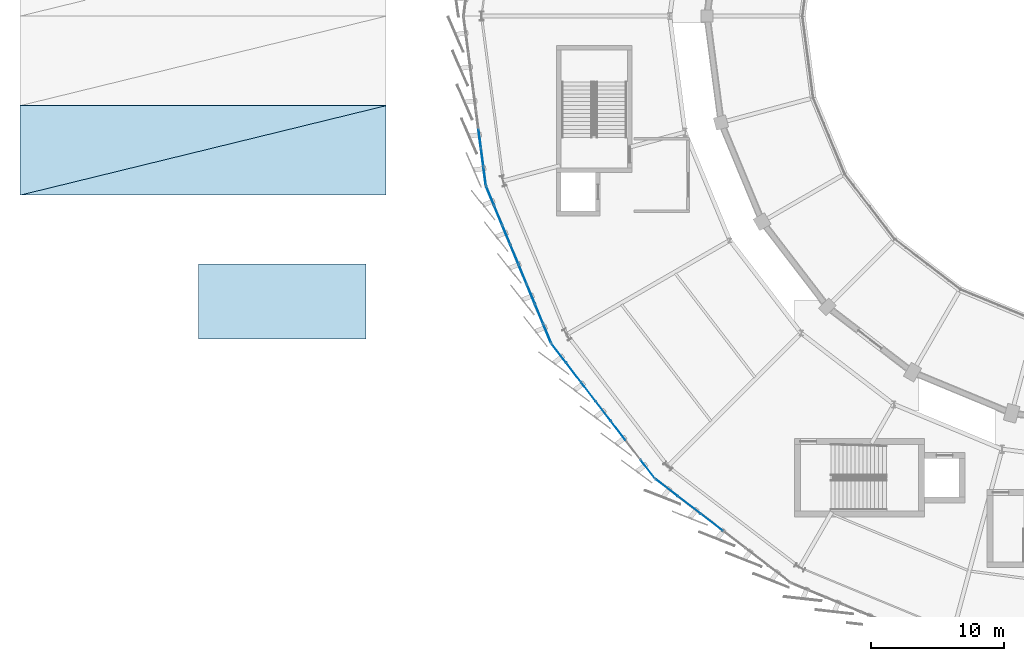
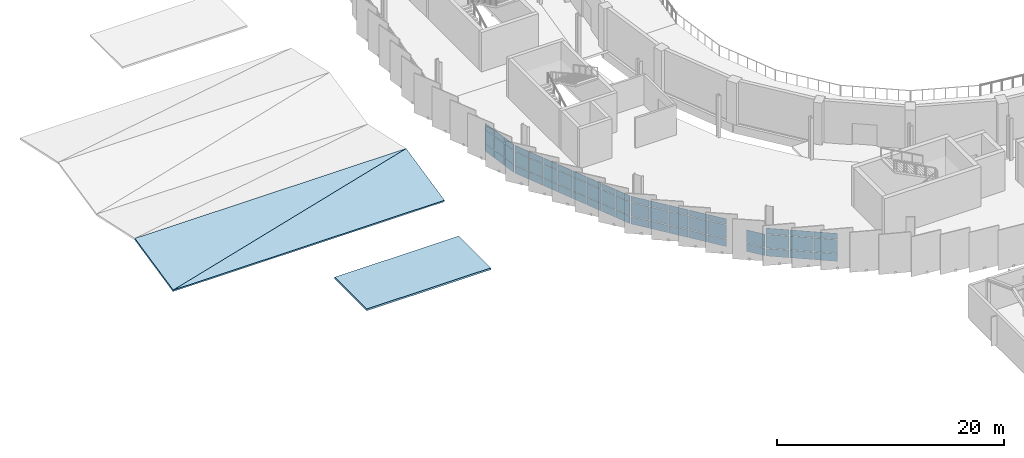
# One storey, part 59 of 87: 59 plates, 3 slabs, 4 elements without a shape of their own.
"""IFC4 building model written with IfcOpenShell, lengths in metres."""

from ifc_helpers import new_model, si_unit, direction, frame, origin, origin_2d, place, context, subcontext, project, spatial, polyline, rectangle, outline, extrude, material, layer, layer_set, type_object, element, aggregate, save


model = new_model("IFC4")

# Units and contexts
model_context = context("Model", 3, precision=1e-05, world=origin(), true_north=direction((0.0, 1.0)))
body_context = subcontext(model_context, "Body", "Model", "MODEL_VIEW")
ifc_project = project(units=[si_unit("LENGTHUNIT", "METRE"), si_unit("AREAUNIT", "SQUARE_METRE"), si_unit("VOLUMEUNIT", "CUBIC_METRE"), si_unit("PLANEANGLEUNIT", "RADIAN"), si_unit("MASSUNIT", "GRAM", prefix="KILO")], contexts=[model_context])

# Site, building, storey
site_placement = place(None, origin())
site = spatial("IfcSite", under=ifc_project, at=site_placement, CompositionType="ELEMENT")
building_placement = place(site_placement, origin())
building = spatial("IfcBuilding", under=site, at=building_placement, Name="Sohan Crest Arena", CompositionType="ELEMENT")
storey_placement = place(building_placement, frame((0.0, 0.0, 18.0)))
storey = spatial("IfcBuildingStorey", under=building, at=storey_placement, Name="L04", CompositionType="ELEMENT", Elevation=18.0)

# Curtain wall, plates
ifc_material_1 = material(Name="Thermally broken anodised aluminium", Category="aluminium")
ifc_layer_1 = layer(ifc_material_1, 0.219970703125, Name="Thermally broken anodised aluminium")
ifc_layer_set_1 = layer_set([ifc_layer_1], Name="Thermally broken anodised aluminium")
curtain_wall_type_1 = type_object("IfcCurtainWallType", Name="ARC-CW03", PredefinedType="NOTDEFINED", material=ifc_layer_set_1)
curtain_wall_1_placement = place(storey_placement, origin())
curtain_wall_1 = element("IfcCurtainWall", 1, at=curtain_wall_1_placement, inside=storey, type_object=curtain_wall_type_1, Name="Unitised curtain wall CW-120", PredefinedType="NOTDEFINED")
ifc_material_2 = material(Name="Low-E double-glazed insulated glass", Category="glass")
ifc_layer_2 = layer(ifc_material_2, 0.028076171875, Name="Low-E double-glazed insulated glass")
ifc_layer_set_2 = layer_set([ifc_layer_2], Name="Low-E double-glazed insulated glass")
plate_type_1 = type_object("IfcPlateType", Name="ARC-CNP01", PredefinedType="CURTAIN_PANEL", material=ifc_layer_set_2)
plate_1_placement = place(storey_placement, frame((55.831298828125, 52.5830078125, 0.070068359375), z_axis=(0.0, 0.0, 1.0), x_axis=(0.60871994181, -0.793385172815, 0.0)))
plate_1 = element("IfcPlate", 2, at=plate_1_placement, type_object=plate_type_1, Name="CW-120 panel 1.1", PredefinedType="CURTAIN_PANEL", context=body_context, shape_type="SweptSolid", body=[
    extrude(rectangle(XDim=1.75048828125, YDim=0.028076171875, at=origin_2d()), origin(), (0.0, 0.0, 1.0), 0.794921875),
])
plate_2_placement = place(storey_placement, frame((55.831298828125, 52.5830078125, 0.93505859375), z_axis=(0.0, 0.0, 1.0), x_axis=(0.60871994181, -0.793385172815, 0.0)))
plate_2 = element("IfcPlate", 3, at=plate_2_placement, type_object=plate_type_1, Name="CW-120 panel 1.2", PredefinedType="CURTAIN_PANEL", context=body_context, shape_type="SweptSolid", body=[
    extrude(rectangle(XDim=1.75048828125, YDim=0.028076171875, at=origin_2d()), origin(), (0.0, 0.0, 1.0), 1.449951171875),
])
plate_3_placement = place(storey_placement, frame((55.831298828125, 52.5830078125, 2.455078125), z_axis=(0.0, 0.0, 1.0), x_axis=(0.60871994181, -0.793385172815, 0.0)))
plate_3 = element("IfcPlate", 4, at=plate_3_placement, type_object=plate_type_1, Name="CW-120 panel 1.3", PredefinedType="CURTAIN_PANEL", context=body_context, shape_type="SweptSolid", body=[
    extrude(rectangle(XDim=1.75048828125, YDim=0.028076171875, at=origin_2d()), origin(), (0.0, 0.0, 1.0), 0.594970703125),
])
plate_4_placement = place(storey_placement, frame((56.9423828125, 51.134765625, 0.070068359375), z_axis=(0.0, 0.0, 1.0), x_axis=(0.60871994181, -0.793385172815, 0.0)))
plate_4 = element("IfcPlate", 5, at=plate_4_placement, type_object=plate_type_1, Name="CW-120 panel 2.1", PredefinedType="CURTAIN_PANEL", context=body_context, shape_type="SweptSolid", body=[
    extrude(rectangle(XDim=1.780517578125, YDim=0.028076171875, at=origin_2d()), origin(), (0.0, 0.0, 1.0), 0.794921875),
])
plate_5_placement = place(storey_placement, frame((56.9423828125, 51.134765625, 0.93505859375), z_axis=(0.0, 0.0, 1.0), x_axis=(0.60871994181, -0.793385172815, 0.0)))
plate_5 = element("IfcPlate", 6, at=plate_5_placement, type_object=plate_type_1, Name="CW-120 panel 2.2", PredefinedType="CURTAIN_PANEL", context=body_context, shape_type="SweptSolid", body=[
    extrude(rectangle(XDim=1.780517578125, YDim=0.028076171875, at=origin_2d()), origin(), (0.0, 0.0, 1.0), 1.449951171875),
])
plate_6_placement = place(storey_placement, frame((56.9423828125, 51.134765625, 2.455078125), z_axis=(0.0, 0.0, 1.0), x_axis=(0.60871994181, -0.793385172815, 0.0)))
plate_6 = element("IfcPlate", 7, at=plate_6_placement, type_object=plate_type_1, Name="CW-120 panel 2.3", PredefinedType="CURTAIN_PANEL", context=body_context, shape_type="SweptSolid", body=[
    extrude(rectangle(XDim=1.780517578125, YDim=0.028076171875, at=origin_2d()), origin(), (0.0, 0.0, 1.0), 0.594970703125),
])
plate_7_placement = place(storey_placement, frame((58.062744140625, 49.674560546875, 0.070068359375), z_axis=(0.0, 0.0, 1.0), x_axis=(0.60871994181, -0.793385172815, 0.0)))
plate_7 = element("IfcPlate", 8, at=plate_7_placement, type_object=plate_type_1, Name="CW-120 panel 3.1", PredefinedType="CURTAIN_PANEL", context=body_context, shape_type="SweptSolid", body=[
    extrude(rectangle(XDim=1.780517578125, YDim=0.028076171875, at=origin_2d()), origin(), (0.0, 0.0, 1.0), 0.794921875),
])
plate_8_placement = place(storey_placement, frame((58.062744140625, 49.674560546875, 0.93505859375), z_axis=(0.0, 0.0, 1.0), x_axis=(0.60871994181, -0.793385172815, 0.0)))
plate_8 = element("IfcPlate", 9, at=plate_8_placement, type_object=plate_type_1, Name="CW-120 panel 3.2", PredefinedType="CURTAIN_PANEL", context=body_context, shape_type="SweptSolid", body=[
    extrude(rectangle(XDim=1.780517578125, YDim=0.028076171875, at=origin_2d()), origin(), (0.0, 0.0, 1.0), 1.449951171875),
])
plate_9_placement = place(storey_placement, frame((58.062744140625, 49.674560546875, 2.455078125), z_axis=(0.0, 0.0, 1.0), x_axis=(0.60871994181, -0.793385172815, 0.0)))
plate_9 = element("IfcPlate", 10, at=plate_9_placement, type_object=plate_type_1, Name="CW-120 panel 3.3", PredefinedType="CURTAIN_PANEL", context=body_context, shape_type="SweptSolid", body=[
    extrude(rectangle(XDim=1.780517578125, YDim=0.028076171875, at=origin_2d()), origin(), (0.0, 0.0, 1.0), 0.594970703125),
])
plate_10_placement = place(storey_placement, frame((59.18310546875, 48.214599609375, 0.070068359375), z_axis=(0.0, 0.0, 1.0), x_axis=(0.60871994181, -0.793385172815, 0.0)))
plate_10 = element("IfcPlate", 11, at=plate_10_placement, type_object=plate_type_1, Name="CW-120 panel 4.1", PredefinedType="CURTAIN_PANEL", context=body_context, shape_type="SweptSolid", body=[
    extrude(rectangle(XDim=1.780517578125, YDim=0.028076171875, at=origin_2d()), origin(), (0.0, 0.0, 1.0), 0.794921875),
])
plate_11_placement = place(storey_placement, frame((59.18310546875, 48.214599609375, 0.93505859375), z_axis=(0.0, 0.0, 1.0), x_axis=(0.60871994181, -0.793385172815, 0.0)))
plate_11 = element("IfcPlate", 12, at=plate_11_placement, type_object=plate_type_1, Name="CW-120 panel 4.2", PredefinedType="CURTAIN_PANEL", context=body_context, shape_type="SweptSolid", body=[
    extrude(rectangle(XDim=1.780517578125, YDim=0.028076171875, at=origin_2d()), origin(), (0.0, 0.0, 1.0), 1.449951171875),
])
plate_12_placement = place(storey_placement, frame((59.18310546875, 48.214599609375, 2.455078125), z_axis=(0.0, 0.0, 1.0), x_axis=(0.60871994181, -0.793385172815, 0.0)))
plate_12 = element("IfcPlate", 13, at=plate_12_placement, type_object=plate_type_1, Name="CW-120 panel 4.3", PredefinedType="CURTAIN_PANEL", context=body_context, shape_type="SweptSolid", body=[
    extrude(rectangle(XDim=1.780517578125, YDim=0.028076171875, at=origin_2d()), origin(), (0.0, 0.0, 1.0), 0.594970703125),
])
plate_13_placement = place(storey_placement, frame((60.30322265625, 46.75439453125, 0.070068359375), z_axis=(0.0, 0.0, 1.0), x_axis=(0.60871994181, -0.793385172815, 0.0)))
plate_13 = element("IfcPlate", 14, at=plate_13_placement, type_object=plate_type_1, Name="CW-120 panel 5.1", PredefinedType="CURTAIN_PANEL", context=body_context, shape_type="SweptSolid", body=[
    extrude(rectangle(XDim=1.780517578125, YDim=0.028076171875, at=origin_2d()), origin(), (0.0, 0.0, 1.0), 0.794921875),
])
plate_14_placement = place(storey_placement, frame((60.30322265625, 46.75439453125, 0.93505859375), z_axis=(0.0, 0.0, 1.0), x_axis=(0.60871994181, -0.793385172815, 0.0)))
plate_14 = element("IfcPlate", 15, at=plate_14_placement, type_object=plate_type_1, Name="CW-120 panel 5.2", PredefinedType="CURTAIN_PANEL", context=body_context, shape_type="SweptSolid", body=[
    extrude(rectangle(XDim=1.780517578125, YDim=0.028076171875, at=origin_2d()), origin(), (0.0, 0.0, 1.0), 1.449951171875),
])
plate_15_placement = place(storey_placement, frame((60.30322265625, 46.75439453125, 2.455078125), z_axis=(0.0, 0.0, 1.0), x_axis=(0.60871994181, -0.793385172815, 0.0)))
plate_15 = element("IfcPlate", 16, at=plate_15_placement, type_object=plate_type_1, Name="CW-120 panel 5.3", PredefinedType="CURTAIN_PANEL", context=body_context, shape_type="SweptSolid", body=[
    extrude(rectangle(XDim=1.780517578125, YDim=0.028076171875, at=origin_2d()), origin(), (0.0, 0.0, 1.0), 0.594970703125),
])
plate_16_placement = place(storey_placement, frame((62.53466796875, 43.845947265625, 0.070068359375), z_axis=(0.0, 0.0, 1.0), x_axis=(0.60871994181, -0.793385172815, 0.0)))
plate_16 = element("IfcPlate", 17, at=plate_16_placement, type_object=plate_type_1, Name="CW-120 panel 7.1", PredefinedType="CURTAIN_PANEL", context=body_context, shape_type="SweptSolid", body=[
    extrude(rectangle(XDim=1.75048828125, YDim=0.028076171875, at=origin_2d()), origin(), (0.0, 0.0, 1.0), 0.794921875),
])
plate_17_placement = place(storey_placement, frame((62.53466796875, 43.845947265625, 0.93505859375), z_axis=(0.0, 0.0, 1.0), x_axis=(0.60871994181, -0.793385172815, 0.0)))
plate_17 = element("IfcPlate", 18, at=plate_17_placement, type_object=plate_type_1, Name="CW-120 panel 7.2", PredefinedType="CURTAIN_PANEL", context=body_context, shape_type="SweptSolid", body=[
    extrude(rectangle(XDim=1.75048828125, YDim=0.028076171875, at=origin_2d()), origin(), (0.0, 0.0, 1.0), 1.449951171875),
])
aggregate(curtain_wall_1, [plate_1, plate_2, plate_3, plate_4, plate_5, plate_6, plate_7, plate_8, plate_9, plate_10, plate_11, plate_12, plate_13, plate_14, plate_15, plate_16, plate_17])

ifc_layer_3 = layer(ifc_material_1, 0.239990234375, Name="Thermally broken anodised aluminium")
ifc_layer_set_3 = layer_set([ifc_layer_3], Name="Thermally broken anodised aluminium")
curtain_wall_type_2 = type_object("IfcCurtainWallType", Name="ARC-CW04", PredefinedType="NOTDEFINED", material=ifc_layer_set_3)
curtain_wall_2_placement = place(storey_placement, origin())
curtain_wall_2 = element("IfcCurtainWall", 19, at=curtain_wall_2_placement, inside=storey, type_object=curtain_wall_type_2, Name="Unitised curtain wall CW-121", PredefinedType="NOTDEFINED")
ifc_layer_4 = layer(ifc_material_2, 0.031982421875, Name="Low-E double-glazed insulated glass")
ifc_layer_set_4 = layer_set([ifc_layer_4], Name="Low-E double-glazed insulated glass")
plate_type_2 = type_object("IfcPlateType", Name="ARC-CNP02", PredefinedType="CURTAIN_PANEL", material=ifc_layer_set_4)
plate_18_placement = place(storey_placement, frame((63.96875, 42.440673828125, 0.06005859375), z_axis=(0.0, 0.0, 1.0), x_axis=(0.793385172815, -0.60871994181, 0.0)))
plate_18 = element("IfcPlate", 20, at=plate_18_placement, type_object=plate_type_2, Name="CW-121 panel 1.1", PredefinedType="CURTAIN_PANEL", context=body_context, shape_type="SweptSolid", body=[
    extrude(rectangle(XDim=2.049560546875, YDim=0.031982421875, at=origin_2d()), origin(), (0.0, 0.0, 1.0), 0.81005859375),
])
plate_19_placement = place(storey_placement, frame((63.96875, 42.440673828125, 0.929931640625), z_axis=(0.0, 0.0, 1.0), x_axis=(0.793385172815, -0.60871994181, 0.0)))
plate_19 = element("IfcPlate", 21, at=plate_19_placement, type_object=plate_type_2, Name="CW-121 panel 1.2", PredefinedType="CURTAIN_PANEL", context=body_context, shape_type="SweptSolid", body=[
    extrude(rectangle(XDim=2.049560546875, YDim=0.031982421875, at=origin_2d()), origin(), (0.0, 0.0, 1.0), 1.4599609375),
])
plate_20_placement = place(storey_placement, frame((63.96875, 42.440673828125, 2.44970703125), z_axis=(0.0, 0.0, 1.0), x_axis=(0.793385172815, -0.60871994181, 0.0)))
plate_20 = element("IfcPlate", 22, at=plate_20_placement, type_object=plate_type_2, Name="CW-121 panel 1.3", PredefinedType="CURTAIN_PANEL", context=body_context, shape_type="SweptSolid", body=[
    extrude(rectangle(XDim=2.049560546875, YDim=0.031982421875, at=origin_2d()), origin(), (0.0, 0.0, 1.0), 0.610107421875),
])
plate_21_placement = place(storey_placement, frame((65.6591796875, 41.1435546875, 0.06005859375), z_axis=(0.0, 0.0, 1.0), x_axis=(0.793385172815, -0.60871994181, 0.0)))
plate_21 = element("IfcPlate", 23, at=plate_21_placement, type_object=plate_type_2, Name="CW-121 panel 2.1", PredefinedType="CURTAIN_PANEL", context=body_context, shape_type="SweptSolid", body=[
    extrude(rectangle(XDim=2.08203125, YDim=0.031982421875, at=origin_2d()), origin(), (0.0, 0.0, 1.0), 0.81005859375),
])
plate_22_placement = place(storey_placement, frame((65.6591796875, 41.1435546875, 0.929931640625), z_axis=(0.0, 0.0, 1.0), x_axis=(0.793385172815, -0.60871994181, 0.0)))
plate_22 = element("IfcPlate", 24, at=plate_22_placement, type_object=plate_type_2, Name="CW-121 panel 2.2", PredefinedType="CURTAIN_PANEL", context=body_context, shape_type="SweptSolid", body=[
    extrude(rectangle(XDim=2.08203125, YDim=0.031982421875, at=origin_2d()), origin(), (0.0, 0.0, 1.0), 1.4599609375),
])
plate_23_placement = place(storey_placement, frame((65.6591796875, 41.1435546875, 2.44970703125), z_axis=(0.0, 0.0, 1.0), x_axis=(0.793385172815, -0.60871994181, 0.0)))
plate_23 = element("IfcPlate", 25, at=plate_23_placement, type_object=plate_type_2, Name="CW-121 panel 2.3", PredefinedType="CURTAIN_PANEL", context=body_context, shape_type="SweptSolid", body=[
    extrude(rectangle(XDim=2.08203125, YDim=0.031982421875, at=origin_2d()), origin(), (0.0, 0.0, 1.0), 0.610107421875),
])
plate_24_placement = place(storey_placement, frame((67.36279296875, 39.83642578125, 0.06005859375), z_axis=(0.0, 0.0, 1.0), x_axis=(0.793385172815, -0.60871994181, 0.0)))
plate_24 = element("IfcPlate", 26, at=plate_24_placement, type_object=plate_type_2, Name="CW-121 panel 3.1", PredefinedType="CURTAIN_PANEL", context=body_context, shape_type="SweptSolid", body=[
    extrude(rectangle(XDim=2.08203125, YDim=0.031982421875, at=origin_2d()), origin(), (0.0, 0.0, 1.0), 0.81005859375),
])
plate_25_placement = place(storey_placement, frame((67.36279296875, 39.83642578125, 0.929931640625), z_axis=(0.0, 0.0, 1.0), x_axis=(0.793385172815, -0.60871994181, 0.0)))
plate_25 = element("IfcPlate", 27, at=plate_25_placement, type_object=plate_type_2, Name="CW-121 panel 3.2", PredefinedType="CURTAIN_PANEL", context=body_context, shape_type="SweptSolid", body=[
    extrude(rectangle(XDim=2.08203125, YDim=0.031982421875, at=origin_2d()), origin(), (0.0, 0.0, 1.0), 1.4599609375),
])
plate_26_placement = place(storey_placement, frame((67.36279296875, 39.83642578125, 2.44970703125), z_axis=(0.0, 0.0, 1.0), x_axis=(0.793385172815, -0.60871994181, 0.0)))
plate_26 = element("IfcPlate", 28, at=plate_26_placement, type_object=plate_type_2, Name="CW-121 panel 3.3", PredefinedType="CURTAIN_PANEL", context=body_context, shape_type="SweptSolid", body=[
    extrude(rectangle(XDim=2.08203125, YDim=0.031982421875, at=origin_2d()), origin(), (0.0, 0.0, 1.0), 0.610107421875),
])
aggregate(curtain_wall_2, [plate_18, plate_19, plate_20, plate_21, plate_22, plate_23, plate_24, plate_25, plate_26])

ifc_layer_5 = layer(ifc_material_1, 0.179931640625, Name="Thermally broken anodised aluminium")
ifc_layer_set_5 = layer_set([ifc_layer_5], Name="Thermally broken anodised aluminium")
curtain_wall_type_3 = type_object("IfcCurtainWallType", Name="ARC-CW01", PredefinedType="NOTDEFINED", material=ifc_layer_set_5)
curtain_wall_3_placement = place(storey_placement, origin())
curtain_wall_3 = element("IfcCurtainWall", 29, at=curtain_wall_3_placement, inside=storey, type_object=curtain_wall_type_3, Name="Unitised curtain wall CW-118", PredefinedType="NOTDEFINED")
ifc_material_3 = material(Name="Ceramic-fritted solar-control insulated glass", Category="glass")
ifc_layer_6 = layer(ifc_material_3, 0.035888671875, Name="Ceramic-fritted solar-control insulated glass")
ifc_layer_set_6 = layer_set([ifc_layer_6], Name="Ceramic-fritted solar-control insulated glass")
plate_type_3 = type_object("IfcPlateType", Name="ARC-CNP03", PredefinedType="CURTAIN_PANEL", material=ifc_layer_set_6)
plate_27_placement = place(storey_placement, frame((49.86474609375, 68.775146484375, 0.06005859375), z_axis=(0.0, 0.0, 1.0), x_axis=(0.130556913275, -0.991440816386, 0.0)))
plate_27 = element("IfcPlate", 30, at=plate_27_placement, type_object=plate_type_3, Name="CW-118 panel 7.1", PredefinedType="CURTAIN_PANEL", context=body_context, shape_type="SweptSolid", body=[
    extrude(rectangle(XDim=1.361572265625, YDim=0.035888671875, at=origin_2d()), origin(), (0.0, 0.0, 1.0), 0.81005859375),
])
plate_28_placement = place(storey_placement, frame((49.86474609375, 68.775146484375, 0.929931640625), z_axis=(0.0, 0.0, 1.0), x_axis=(0.130556913275, -0.991440816386, 0.0)))
plate_28 = element("IfcPlate", 31, at=plate_28_placement, type_object=plate_type_3, Name="CW-118 panel 7.2", PredefinedType="CURTAIN_PANEL", context=body_context, shape_type="SweptSolid", body=[
    extrude(rectangle(XDim=1.361572265625, YDim=0.035888671875, at=origin_2d()), origin(), (0.0, 0.0, 1.0), 1.4599609375),
])
plate_29_placement = place(storey_placement, frame((49.86474609375, 68.775146484375, 2.44970703125), z_axis=(0.0, 0.0, 1.0), x_axis=(0.130556913275, -0.991440816386, 0.0)))
plate_29 = element("IfcPlate", 32, at=plate_29_placement, type_object=plate_type_3, Name="CW-118 panel 7.3", PredefinedType="CURTAIN_PANEL", context=body_context, shape_type="SweptSolid", body=[
    extrude(rectangle(XDim=1.361572265625, YDim=0.035888671875, at=origin_2d()), origin(), (0.0, 0.0, 1.0), 0.610107421875),
])
plate_30_placement = place(storey_placement, frame((50.0517578125, 67.355712890625, 0.06005859375), z_axis=(0.0, 0.0, 1.0), x_axis=(0.130556913275, -0.991440816386, 0.0)))
plate_30 = element("IfcPlate", 33, at=plate_30_placement, type_object=plate_type_3, Name="CW-118 panel 8.1", PredefinedType="CURTAIN_PANEL", context=body_context, shape_type="SweptSolid", body=[
    extrude(rectangle(XDim=1.361572265625, YDim=0.035888671875, at=origin_2d()), origin(), (0.0, 0.0, 1.0), 0.81005859375),
])
plate_31_placement = place(storey_placement, frame((50.0517578125, 67.355712890625, 0.929931640625), z_axis=(0.0, 0.0, 1.0), x_axis=(0.130556913275, -0.991440816386, 0.0)))
plate_31 = element("IfcPlate", 34, at=plate_31_placement, type_object=plate_type_3, Name="CW-118 panel 8.2", PredefinedType="CURTAIN_PANEL", context=body_context, shape_type="SweptSolid", body=[
    extrude(rectangle(XDim=1.361572265625, YDim=0.035888671875, at=origin_2d()), origin(), (0.0, 0.0, 1.0), 1.4599609375),
])
plate_32_placement = place(storey_placement, frame((50.0517578125, 67.355712890625, 2.44970703125), z_axis=(0.0, 0.0, 1.0), x_axis=(0.130556913275, -0.991440816386, 0.0)))
plate_32 = element("IfcPlate", 35, at=plate_32_placement, type_object=plate_type_3, Name="CW-118 panel 8.3", PredefinedType="CURTAIN_PANEL", context=body_context, shape_type="SweptSolid", body=[
    extrude(rectangle(XDim=1.361572265625, YDim=0.035888671875, at=origin_2d()), origin(), (0.0, 0.0, 1.0), 0.610107421875),
])
plate_33_placement = place(storey_placement, frame((50.236328125, 65.953857421875, 0.06005859375), z_axis=(0.0, 0.0, 1.0), x_axis=(0.130556913275, -0.991440816386, 0.0)))
plate_33 = element("IfcPlate", 36, at=plate_33_placement, type_object=plate_type_3, Name="CW-118 panel 9.1", PredefinedType="CURTAIN_PANEL", context=body_context, shape_type="SweptSolid", body=[
    extrude(rectangle(XDim=1.326416015625, YDim=0.035888671875, at=origin_2d()), origin(), (0.0, 0.0, 1.0), 0.81005859375),
])
plate_34_placement = place(storey_placement, frame((50.236328125, 65.953857421875, 0.929931640625), z_axis=(0.0, 0.0, 1.0), x_axis=(0.130556913275, -0.991440816386, 0.0)))
plate_34 = element("IfcPlate", 37, at=plate_34_placement, type_object=plate_type_3, Name="CW-118 panel 9.2", PredefinedType="CURTAIN_PANEL", context=body_context, shape_type="SweptSolid", body=[
    extrude(rectangle(XDim=1.326416015625, YDim=0.035888671875, at=origin_2d()), origin(), (0.0, 0.0, 1.0), 1.4599609375),
])
plate_35_placement = place(storey_placement, frame((50.236328125, 65.953857421875, 2.44970703125), z_axis=(0.0, 0.0, 1.0), x_axis=(0.130556913275, -0.991440816386, 0.0)))
plate_35 = element("IfcPlate", 38, at=plate_35_placement, type_object=plate_type_3, Name="CW-118 panel 9.3", PredefinedType="CURTAIN_PANEL", context=body_context, shape_type="SweptSolid", body=[
    extrude(rectangle(XDim=1.326416015625, YDim=0.035888671875, at=origin_2d()), origin(), (0.0, 0.0, 1.0), 0.610107421875),
])
aggregate(curtain_wall_3, [plate_27, plate_28, plate_29, plate_30, plate_31, plate_32, plate_33, plate_34, plate_35])

ifc_layer_7 = layer(ifc_material_1, 0.199951171875, Name="Thermally broken anodised aluminium")
ifc_layer_set_7 = layer_set([ifc_layer_7], Name="Thermally broken anodised aluminium")
curtain_wall_type_4 = type_object("IfcCurtainWallType", Name="ARC-CW02", PredefinedType="NOTDEFINED", material=ifc_layer_set_7)
curtain_wall_4_placement = place(storey_placement, origin())
curtain_wall_4 = element("IfcCurtainWall", 39, at=curtain_wall_4_placement, inside=storey, type_object=curtain_wall_type_4, Name="Unitised curtain wall CW-119", PredefinedType="NOTDEFINED")
ifc_material_4 = material(Name="Insulated polychrome ceramic spandrel panel", Category="masonry")
ifc_layer_8 = layer(ifc_material_4, 0.0419921875, Name="Insulated polychrome ceramic spandrel panel")
ifc_layer_set_8 = layer_set([ifc_layer_8], Name="Insulated polychrome ceramic spandrel panel")
plate_type_4 = type_object("IfcPlateType", Name="ARC-CNP04", PredefinedType="CURTAIN_PANEL", material=ifc_layer_set_8)
plate_36_placement = place(storey_placement, frame((50.647216796875, 64.4658203125, 0.06494140625), z_axis=(0.0, 0.0, 1.0), x_axis=(0.382685432009, -0.923878704229, 0.0)))
plate_36 = element("IfcPlate", 40, at=plate_36_placement, type_object=plate_type_4, Name="CW-119 panel 1.1", PredefinedType="CURTAIN_PANEL", context=body_context, shape_type="SweptSolid", body=[
    extrude(rectangle(XDim=1.497802734375, YDim=0.0419921875, at=origin_2d()), origin(), (0.0, 0.0, 1.0), 0.802490234375),
])
plate_37_placement = place(storey_placement, frame((50.647216796875, 64.4658203125, 0.932373046875), z_axis=(0.0, 0.0, 1.0), x_axis=(0.382685432009, -0.923878704229, 0.0)))
plate_37 = element("IfcPlate", 41, at=plate_37_placement, type_object=plate_type_4, Name="CW-119 panel 1.2", PredefinedType="CURTAIN_PANEL", context=body_context, shape_type="SweptSolid", body=[
    extrude(rectangle(XDim=1.497802734375, YDim=0.0419921875, at=origin_2d()), origin(), (0.0, 0.0, 1.0), 1.455078125),
])
plate_38_placement = place(storey_placement, frame((50.647216796875, 64.4658203125, 2.452392578125), z_axis=(0.0, 0.0, 1.0), x_axis=(0.382685432009, -0.923878704229, 0.0)))
plate_38 = element("IfcPlate", 42, at=plate_38_placement, type_object=plate_type_4, Name="CW-119 panel 1.3", PredefinedType="CURTAIN_PANEL", context=body_context, shape_type="SweptSolid", body=[
    extrude(rectangle(XDim=1.497802734375, YDim=0.0419921875, at=origin_2d()), origin(), (0.0, 0.0, 1.0), 0.6025390625),
])
plate_39_placement = place(storey_placement, frame((51.25634765625, 62.995361328125, 0.06494140625), z_axis=(0.0, 0.0, 1.0), x_axis=(0.382685432009, -0.923878704229, 0.0)))
plate_39 = element("IfcPlate", 43, at=plate_39_placement, type_object=plate_type_4, Name="CW-119 panel 2.1", PredefinedType="CURTAIN_PANEL", context=body_context, shape_type="SweptSolid", body=[
    extrude(rectangle(XDim=1.535400390625, YDim=0.0419921875, at=origin_2d()), origin(), (0.0, 0.0, 1.0), 0.802490234375),
])
plate_40_placement = place(storey_placement, frame((51.25634765625, 62.995361328125, 0.932373046875), z_axis=(0.0, 0.0, 1.0), x_axis=(0.382685432009, -0.923878704229, 0.0)))
plate_40 = element("IfcPlate", 44, at=plate_40_placement, type_object=plate_type_4, Name="CW-119 panel 2.2", PredefinedType="CURTAIN_PANEL", context=body_context, shape_type="SweptSolid", body=[
    extrude(rectangle(XDim=1.535400390625, YDim=0.0419921875, at=origin_2d()), origin(), (0.0, 0.0, 1.0), 1.455078125),
])
plate_41_placement = place(storey_placement, frame((51.25634765625, 62.995361328125, 2.452392578125), z_axis=(0.0, 0.0, 1.0), x_axis=(0.382685432009, -0.923878704229, 0.0)))
plate_41 = element("IfcPlate", 45, at=plate_41_placement, type_object=plate_type_4, Name="CW-119 panel 2.3", PredefinedType="CURTAIN_PANEL", context=body_context, shape_type="SweptSolid", body=[
    extrude(rectangle(XDim=1.535400390625, YDim=0.0419921875, at=origin_2d()), origin(), (0.0, 0.0, 1.0), 0.6025390625),
])
plate_42_placement = place(storey_placement, frame((51.87255859375, 61.507568359375, 0.06494140625), z_axis=(0.0, 0.0, 1.0), x_axis=(0.382685432009, -0.923878704229, 0.0)))
plate_42 = element("IfcPlate", 46, at=plate_42_placement, type_object=plate_type_4, Name="CW-119 panel 3.1", PredefinedType="CURTAIN_PANEL", context=body_context, shape_type="SweptSolid", body=[
    extrude(rectangle(XDim=1.535400390625, YDim=0.0419921875, at=origin_2d()), origin(), (0.0, 0.0, 1.0), 0.802490234375),
])
plate_43_placement = place(storey_placement, frame((51.87255859375, 61.507568359375, 0.932373046875), z_axis=(0.0, 0.0, 1.0), x_axis=(0.382685432009, -0.923878704229, 0.0)))
plate_43 = element("IfcPlate", 47, at=plate_43_placement, type_object=plate_type_4, Name="CW-119 panel 3.2", PredefinedType="CURTAIN_PANEL", context=body_context, shape_type="SweptSolid", body=[
    extrude(rectangle(XDim=1.535400390625, YDim=0.0419921875, at=origin_2d()), origin(), (0.0, 0.0, 1.0), 1.455078125),
])
plate_44_placement = place(storey_placement, frame((51.87255859375, 61.507568359375, 2.452392578125), z_axis=(0.0, 0.0, 1.0), x_axis=(0.382685432009, -0.923878704229, 0.0)))
plate_44 = element("IfcPlate", 48, at=plate_44_placement, type_object=plate_type_4, Name="CW-119 panel 3.3", PredefinedType="CURTAIN_PANEL", context=body_context, shape_type="SweptSolid", body=[
    extrude(rectangle(XDim=1.535400390625, YDim=0.0419921875, at=origin_2d()), origin(), (0.0, 0.0, 1.0), 0.6025390625),
])
plate_45_placement = place(storey_placement, frame((52.48876953125, 60.019775390625, 0.06494140625), z_axis=(0.0, 0.0, 1.0), x_axis=(0.382685432009, -0.923878704229, 0.0)))
plate_45 = element("IfcPlate", 49, at=plate_45_placement, type_object=plate_type_4, Name="CW-119 panel 4.1", PredefinedType="CURTAIN_PANEL", context=body_context, shape_type="SweptSolid", body=[
    extrude(rectangle(XDim=1.535400390625, YDim=0.0419921875, at=origin_2d()), origin(), (0.0, 0.0, 1.0), 0.802490234375),
])
plate_46_placement = place(storey_placement, frame((52.48876953125, 60.019775390625, 0.932373046875), z_axis=(0.0, 0.0, 1.0), x_axis=(0.382685432009, -0.923878704229, 0.0)))
plate_46 = element("IfcPlate", 50, at=plate_46_placement, type_object=plate_type_4, Name="CW-119 panel 4.2", PredefinedType="CURTAIN_PANEL", context=body_context, shape_type="SweptSolid", body=[
    extrude(rectangle(XDim=1.535400390625, YDim=0.0419921875, at=origin_2d()), origin(), (0.0, 0.0, 1.0), 1.455078125),
])
plate_47_placement = place(storey_placement, frame((52.48876953125, 60.019775390625, 2.452392578125), z_axis=(0.0, 0.0, 1.0), x_axis=(0.382685432009, -0.923878704229, 0.0)))
plate_47 = element("IfcPlate", 51, at=plate_47_placement, type_object=plate_type_4, Name="CW-119 panel 4.3", PredefinedType="CURTAIN_PANEL", context=body_context, shape_type="SweptSolid", body=[
    extrude(rectangle(XDim=1.535400390625, YDim=0.0419921875, at=origin_2d()), origin(), (0.0, 0.0, 1.0), 0.6025390625),
])
plate_48_placement = place(storey_placement, frame((53.105224609375, 58.5322265625, 0.06494140625), z_axis=(0.0, 0.0, 1.0), x_axis=(0.382685432009, -0.923878704229, 0.0)))
plate_48 = element("IfcPlate", 52, at=plate_48_placement, type_object=plate_type_4, Name="CW-119 panel 5.1", PredefinedType="CURTAIN_PANEL", context=body_context, shape_type="SweptSolid", body=[
    extrude(rectangle(XDim=1.535400390625, YDim=0.0419921875, at=origin_2d()), origin(), (0.0, 0.0, 1.0), 0.802490234375),
])
plate_49_placement = place(storey_placement, frame((53.105224609375, 58.5322265625, 0.932373046875), z_axis=(0.0, 0.0, 1.0), x_axis=(0.382685432009, -0.923878704229, 0.0)))
plate_49 = element("IfcPlate", 53, at=plate_49_placement, type_object=plate_type_4, Name="CW-119 panel 5.2", PredefinedType="CURTAIN_PANEL", context=body_context, shape_type="SweptSolid", body=[
    extrude(rectangle(XDim=1.535400390625, YDim=0.0419921875, at=origin_2d()), origin(), (0.0, 0.0, 1.0), 1.455078125),
])
plate_50_placement = place(storey_placement, frame((53.105224609375, 58.5322265625, 2.452392578125), z_axis=(0.0, 0.0, 1.0), x_axis=(0.382685432009, -0.923878704229, 0.0)))
plate_50 = element("IfcPlate", 54, at=plate_50_placement, type_object=plate_type_4, Name="CW-119 panel 5.3", PredefinedType="CURTAIN_PANEL", context=body_context, shape_type="SweptSolid", body=[
    extrude(rectangle(XDim=1.535400390625, YDim=0.0419921875, at=origin_2d()), origin(), (0.0, 0.0, 1.0), 0.6025390625),
])
plate_51_placement = place(storey_placement, frame((53.721435546875, 57.04443359375, 0.06494140625), z_axis=(0.0, 0.0, 1.0), x_axis=(0.382685432009, -0.923878704229, 0.0)))
plate_51 = element("IfcPlate", 55, at=plate_51_placement, type_object=plate_type_4, Name="CW-119 panel 6.1", PredefinedType="CURTAIN_PANEL", context=body_context, shape_type="SweptSolid", body=[
    extrude(rectangle(XDim=1.535400390625, YDim=0.0419921875, at=origin_2d()), origin(), (0.0, 0.0, 1.0), 0.802490234375),
])
plate_52_placement = place(storey_placement, frame((53.721435546875, 57.04443359375, 0.932373046875), z_axis=(0.0, 0.0, 1.0), x_axis=(0.382685432009, -0.923878704229, 0.0)))
plate_52 = element("IfcPlate", 56, at=plate_52_placement, type_object=plate_type_4, Name="CW-119 panel 6.2", PredefinedType="CURTAIN_PANEL", context=body_context, shape_type="SweptSolid", body=[
    extrude(rectangle(XDim=1.535400390625, YDim=0.0419921875, at=origin_2d()), origin(), (0.0, 0.0, 1.0), 1.455078125),
])
plate_53_placement = place(storey_placement, frame((53.721435546875, 57.04443359375, 2.452392578125), z_axis=(0.0, 0.0, 1.0), x_axis=(0.382685432009, -0.923878704229, 0.0)))
plate_53 = element("IfcPlate", 57, at=plate_53_placement, type_object=plate_type_4, Name="CW-119 panel 6.3", PredefinedType="CURTAIN_PANEL", context=body_context, shape_type="SweptSolid", body=[
    extrude(rectangle(XDim=1.535400390625, YDim=0.0419921875, at=origin_2d()), origin(), (0.0, 0.0, 1.0), 0.6025390625),
])
plate_54_placement = place(storey_placement, frame((54.337646484375, 55.556640625, 0.06494140625), z_axis=(0.0, 0.0, 1.0), x_axis=(0.382685432009, -0.923878704229, 0.0)))
plate_54 = element("IfcPlate", 58, at=plate_54_placement, type_object=plate_type_4, Name="CW-119 panel 7.1", PredefinedType="CURTAIN_PANEL", context=body_context, shape_type="SweptSolid", body=[
    extrude(rectangle(XDim=1.535400390625, YDim=0.0419921875, at=origin_2d()), origin(), (0.0, 0.0, 1.0), 0.802490234375),
])
plate_55_placement = place(storey_placement, frame((54.337646484375, 55.556640625, 0.932373046875), z_axis=(0.0, 0.0, 1.0), x_axis=(0.382685432009, -0.923878704229, 0.0)))
plate_55 = element("IfcPlate", 59, at=plate_55_placement, type_object=plate_type_4, Name="CW-119 panel 7.2", PredefinedType="CURTAIN_PANEL", context=body_context, shape_type="SweptSolid", body=[
    extrude(rectangle(XDim=1.535400390625, YDim=0.0419921875, at=origin_2d()), origin(), (0.0, 0.0, 1.0), 1.455078125),
])
plate_56_placement = place(storey_placement, frame((54.337646484375, 55.556640625, 2.452392578125), z_axis=(0.0, 0.0, 1.0), x_axis=(0.382685432009, -0.923878704229, 0.0)))
plate_56 = element("IfcPlate", 60, at=plate_56_placement, type_object=plate_type_4, Name="CW-119 panel 7.3", PredefinedType="CURTAIN_PANEL", context=body_context, shape_type="SweptSolid", body=[
    extrude(rectangle(XDim=1.535400390625, YDim=0.0419921875, at=origin_2d()), origin(), (0.0, 0.0, 1.0), 0.6025390625),
])
plate_57_placement = place(storey_placement, frame((54.94677734375, 54.086181640625, 0.06494140625), z_axis=(0.0, 0.0, 1.0), x_axis=(0.382685432009, -0.923878704229, 0.0)))
plate_57 = element("IfcPlate", 61, at=plate_57_placement, type_object=plate_type_4, Name="CW-119 panel 8.1", PredefinedType="CURTAIN_PANEL", context=body_context, shape_type="SweptSolid", body=[
    extrude(rectangle(XDim=1.497802734375, YDim=0.0419921875, at=origin_2d()), origin(), (0.0, 0.0, 1.0), 0.802490234375),
])
plate_58_placement = place(storey_placement, frame((54.94677734375, 54.086181640625, 0.932373046875), z_axis=(0.0, 0.0, 1.0), x_axis=(0.382685432009, -0.923878704229, 0.0)))
plate_58 = element("IfcPlate", 62, at=plate_58_placement, type_object=plate_type_4, Name="CW-119 panel 8.2", PredefinedType="CURTAIN_PANEL", context=body_context, shape_type="SweptSolid", body=[
    extrude(rectangle(XDim=1.497802734375, YDim=0.0419921875, at=origin_2d()), origin(), (0.0, 0.0, 1.0), 1.455078125),
])
plate_59_placement = place(storey_placement, frame((54.94677734375, 54.086181640625, 2.452392578125), z_axis=(0.0, 0.0, 1.0), x_axis=(0.382685432009, -0.923878704229, 0.0)))
plate_59 = element("IfcPlate", 63, at=plate_59_placement, type_object=plate_type_4, Name="CW-119 panel 8.3", PredefinedType="CURTAIN_PANEL", context=body_context, shape_type="SweptSolid", body=[
    extrude(rectangle(XDim=1.497802734375, YDim=0.0419921875, at=origin_2d()), origin(), (0.0, 0.0, 1.0), 0.6025390625),
])
aggregate(curtain_wall_4, [plate_36, plate_37, plate_38, plate_39, plate_40, plate_41, plate_42, plate_43, plate_44, plate_45, plate_46, plate_47, plate_48, plate_49, plate_50, plate_51, plate_52, plate_53, plate_54, plate_55, plate_56, plate_57, plate_58, plate_59])

# Slabs
ifc_material_5 = material(Name="Concrete C40/50", Category="concrete")
ifc_layer_9 = layer(ifc_material_5, 0.195068359375, Name="Concrete C40/50")
ifc_layer_set_9 = layer_set([ifc_layer_9], Name="Concrete C40/50")
slab_type = type_object("IfcSlabType", Name="SL-RF02", PredefinedType="ROOF", material=ifc_layer_set_9)
slab_1_placement = place(storey_placement, frame((0.0, 0.0, -0.195068359375)))
element("IfcSlab", 64, at=slab_1_placement, inside=storey, type_object=slab_type, Name="Stair head-house roof C13", PredefinedType="ROOF", context=body_context, shape_type="SweptSolid", body=[
    extrude(outline(polyline([(28.64990234375, 53.675048828125), (41.27490234375, 53.675048828125), (41.27490234375, 59.324951171875), (28.64990234375, 59.324951171875), (28.64990234375, 53.675048828125)])), origin(), (0.0, 0.0, 1.0), 0.195068359375),
])
slab_2_placement = place(storey_placement, frame((15.199951171875, 64.5, 0.179931640625), z_axis=(0.0, -0.212786162672, 0.97709879182), x_axis=(1.0, 0.0, 0.0)))
element("IfcSlab", 65, at=slab_2_placement, inside=storey, type_object=slab_type, Name="Pavilion Catalan vault slab RF-V3-PAV1A", PredefinedType="ROOF", context=body_context, shape_type="SweptSolid", body=[
    extrude(outline(polyline([(0.0, 0.0), (27.60009765625, 0.0), (27.60009765625, 6.908206269940541), (0.0, 0.0)])), origin(), (0.0, 0.0, -1.0), 0.195068359375),
])
slab_3_placement = place(storey_placement, frame((15.199951171875, 64.5, 0.179931640625), z_axis=(0.0, -0.212786162672, 0.97709879182), x_axis=(0.970074798417, 0.237245714521, 0.051665814783)))
element("IfcSlab", 66, at=slab_3_placement, inside=storey, type_object=slab_type, Name="Pavilion Catalan vault slab RF-V3-PAV1B", PredefinedType="ROOF", context=body_context, shape_type="SweptSolid", body=[
    extrude(outline(polyline([(0.0, 0.0), (28.451514977283416, 8.881784197001252e-16), (1.677355807103755, 6.701476804736483), (0.0, 0.0)])), origin(), (0.0, 0.0, -1.0), 0.195068359375),
])

save(model, "model.ifc")
